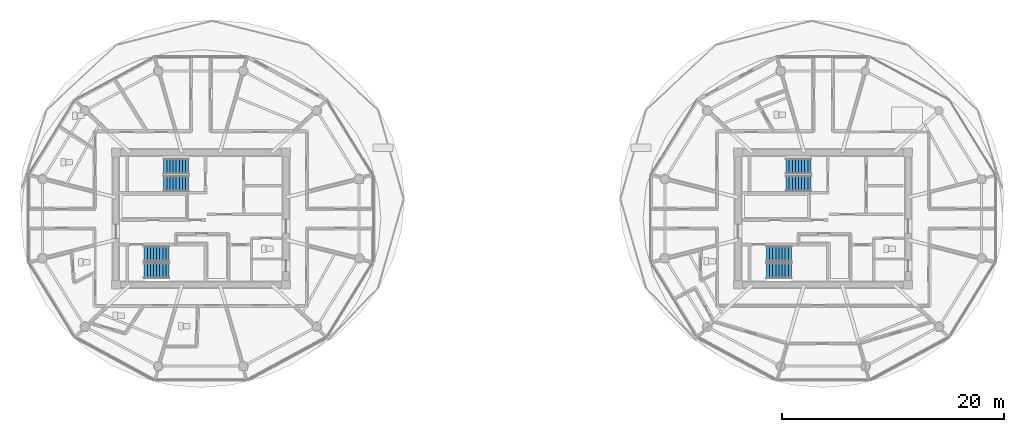
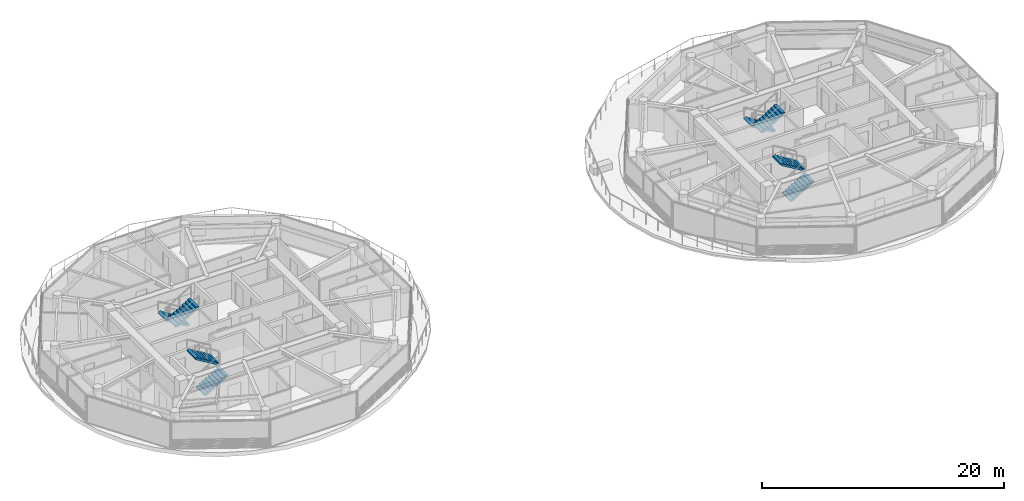
# One storey, part 16 of 28: 8 stair flights, 4 elements without a shape of their own.
"""IFC4 building model written with IfcOpenShell, lengths in metres."""

from ifc_helpers import new_model, si_unit, direction, frame, origin, place, context, subcontext, project, spatial, polyline, outline, extrude, material, type_object, element, aggregate, save


model = new_model("IFC4")

# Units and contexts
model_context = context("Model", 3, precision=1e-05, world=origin(), true_north=direction((0.0, 1.0)))
body_context = subcontext(model_context, "Body", "Model", "MODEL_VIEW")
ifc_project = project(units=[si_unit("LENGTHUNIT", "METRE"), si_unit("AREAUNIT", "SQUARE_METRE"), si_unit("VOLUMEUNIT", "CUBIC_METRE"), si_unit("PLANEANGLEUNIT", "RADIAN"), si_unit("MASSUNIT", "GRAM", prefix="KILO")], contexts=[model_context])

# Site, building, storey
site_placement = place(None, origin())
site = spatial("IfcSite", under=ifc_project, at=site_placement, CompositionType="ELEMENT")
building_placement = place(site_placement, origin())
building = spatial("IfcBuilding", under=site, at=building_placement, Name="Norrkilde Senior Care Towers", CompositionType="ELEMENT")
storey_placement = place(building_placement, frame((0.0, 0.0, 190.64990234375)))
storey = spatial("IfcBuildingStorey", under=building, at=storey_placement, Name="L59", CompositionType="ELEMENT", Elevation=190.64990234375)

# Stair, stair flights
ifc_material = material(Name="Concrete C45/55", Category="concrete")
stair_type = type_object("IfcStairType", Name="Core Protected Dogleg Stair Typical 3050", PredefinedType="HALF_TURN_STAIR", material=ifc_material)
stair_1_placement = place(storey_placement, origin())
stair_1 = element("IfcStair", 1, at=stair_1_placement, inside=storey, type_object=stair_type, Name="L59 Protected Core Stair W1", PredefinedType="HALF_TURN_STAIR")
stair_flight_type = type_object("IfcStairFlightType", Name="Core Protected Dogleg Stair Typical 3050 Flight", PredefinedType="STRAIGHT", material=ifc_material)
stair_flight_1_placement = place(storey_placement, frame((-29.10009765625, 4.699951171875, 0.0), z_axis=(0.0, 0.0, 1.0), x_axis=(-1.0, 0.0, 0.0)))
stair_flight_1 = element("IfcStairFlight", 2, at=stair_flight_1_placement, type_object=stair_flight_type, Name="ST-W1 flight 1", NumberOfRisers=9, NumberOfTreads=8, PredefinedType="STRAIGHT", RiserHeight=0.169444444, TreadLength=0.28, context=body_context, shape_type="SweptSolid", body=[
    extrude(outline(polyline([(0.0, 0.0), (0.0, 0.16943359375), (0.280029296875, 0.16943359375), (0.280029296875, 0.3388671875), (0.56005859375, 0.3388671875), (0.56005859375, 0.50830078125), (0.840087890625, 0.50830078125), (0.840087890625, 0.677734375), (1.1201171875, 0.677734375), (1.1201171875, 0.84716796875), (1.39990234375, 0.84716796875), (1.39990234375, 1.0166015625), (1.679931640625, 1.0166015625), (1.679931640625, 1.18603515625), (1.9599609375, 1.18603515625), (1.9599609375, 1.35546875), (2.239990234375, 1.35546875), (2.239990234375, 1.52490234375), (2.239990234375, 1.180419921875), (0.28955078125, 0.0), (0.0, 0.0)])), frame((0.0, 0.699951171875, 0.0), z_axis=(0.0, -1.0, 0.0), x_axis=(1.0, 0.0, 0.0)), (0.0, 0.0, 1.0), 1.39990234375),
])
stair_flight_2_placement = place(storey_placement, frame((-31.340087890625, 3.14990234375, 1.525146484375), z_axis=(0.0, 0.0, 1.0), x_axis=(1.0, 0.0, 0.0)))
stair_flight_2 = element("IfcStairFlight", 3, at=stair_flight_2_placement, type_object=stair_flight_type, Name="ST-W1 flight 2", NumberOfRisers=9, NumberOfTreads=8, PredefinedType="STRAIGHT", RiserHeight=0.169444444, TreadLength=0.28, context=body_context, shape_type="SweptSolid", body=[
    extrude(outline(polyline([(0.0, 0.0), (0.0, 0.16943359375), (0.280029296875, 0.16943359375), (0.280029296875, 0.3388671875), (0.56005859375, 0.3388671875), (0.56005859375, 0.50830078125), (0.840087890625, 0.50830078125), (0.840087890625, 0.677734375), (1.1201171875, 0.677734375), (1.1201171875, 0.84716796875), (1.39990234375, 0.84716796875), (1.39990234375, 1.0166015625), (1.679931640625, 1.0166015625), (1.679931640625, 1.18603515625), (1.9599609375, 1.18603515625), (1.9599609375, 1.35546875), (2.239990234375, 1.35546875), (2.239990234375, 1.52490234375), (2.239990234375, 1.180419921875), (0.28955078125, 0.0), (0.0, 0.0)])), frame((0.0, 0.699951171875, 0.0), z_axis=(0.0, -1.0, 0.0), x_axis=(1.0, 0.0, 0.0)), (0.0, 0.0, 1.0), 1.39990234375),
])
aggregate(stair_1, [stair_flight_1, stair_flight_2])

stair_2_placement = place(storey_placement, origin())
stair_2 = element("IfcStair", 4, at=stair_2_placement, inside=storey, type_object=stair_type, Name="L59 Protected Core Stair W2", PredefinedType="HALF_TURN_STAIR")
stair_flight_3_placement = place(storey_placement, frame((-33.10009765625, -4.699951171875, 0.0), z_axis=(0.0, 0.0, 1.0), x_axis=(1.0, 0.0, 0.0)))
stair_flight_3 = element("IfcStairFlight", 5, at=stair_flight_3_placement, type_object=stair_flight_type, Name="ST-W2 flight 1", NumberOfRisers=9, NumberOfTreads=8, PredefinedType="STRAIGHT", RiserHeight=0.169444444, TreadLength=0.28, context=body_context, shape_type="SweptSolid", body=[
    extrude(outline(polyline([(0.0, 0.0), (0.0, 0.16943359375), (0.280029296875, 0.16943359375), (0.280029296875, 0.3388671875), (0.56005859375, 0.3388671875), (0.56005859375, 0.50830078125), (0.840087890625, 0.50830078125), (0.840087890625, 0.677734375), (1.1201171875, 0.677734375), (1.1201171875, 0.84716796875), (1.39990234375, 0.84716796875), (1.39990234375, 1.0166015625), (1.679931640625, 1.0166015625), (1.679931640625, 1.18603515625), (1.9599609375, 1.18603515625), (1.9599609375, 1.35546875), (2.239990234375, 1.35546875), (2.239990234375, 1.52490234375), (2.239990234375, 1.180419921875), (0.28955078125, 0.0), (0.0, 0.0)])), frame((0.0, 0.699951171875, 0.0), z_axis=(0.0, -1.0, 0.0), x_axis=(1.0, 0.0, 0.0)), (0.0, 0.0, 1.0), 1.39990234375),
])
stair_flight_4_placement = place(storey_placement, frame((-30.860107421875, -3.14990234375, 1.525146484375), z_axis=(0.0, 0.0, 1.0), x_axis=(-1.0, 0.0, 0.0)))
stair_flight_4 = element("IfcStairFlight", 6, at=stair_flight_4_placement, type_object=stair_flight_type, Name="ST-W2 flight 2", NumberOfRisers=9, NumberOfTreads=8, PredefinedType="STRAIGHT", RiserHeight=0.169444444, TreadLength=0.28, context=body_context, shape_type="SweptSolid", body=[
    extrude(outline(polyline([(0.0, 0.0), (0.0, 0.16943359375), (0.280029296875, 0.16943359375), (0.280029296875, 0.3388671875), (0.56005859375, 0.3388671875), (0.56005859375, 0.50830078125), (0.840087890625, 0.50830078125), (0.840087890625, 0.677734375), (1.1201171875, 0.677734375), (1.1201171875, 0.84716796875), (1.39990234375, 0.84716796875), (1.39990234375, 1.0166015625), (1.679931640625, 1.0166015625), (1.679931640625, 1.18603515625), (1.9599609375, 1.18603515625), (1.9599609375, 1.35546875), (2.239990234375, 1.35546875), (2.239990234375, 1.52490234375), (2.239990234375, 1.180419921875), (0.28955078125, 0.0), (0.0, 0.0)])), frame((0.0, 0.699951171875, 0.0), z_axis=(0.0, -1.0, 0.0), x_axis=(1.0, 0.0, 0.0)), (0.0, 0.0, 1.0), 1.39990234375),
])
aggregate(stair_2, [stair_flight_3, stair_flight_4])

stair_3_placement = place(storey_placement, origin())
stair_3 = element("IfcStair", 7, at=stair_3_placement, inside=storey, type_object=stair_type, Name="L59 Protected Core Stair E1", PredefinedType="HALF_TURN_STAIR")
stair_flight_5_placement = place(storey_placement, frame((26.89990234375, 4.699951171875, 0.0), z_axis=(0.0, 0.0, 1.0), x_axis=(-1.0, 0.0, 0.0)))
stair_flight_5 = element("IfcStairFlight", 8, at=stair_flight_5_placement, type_object=stair_flight_type, Name="ST-E1 flight 1", NumberOfRisers=9, NumberOfTreads=8, PredefinedType="STRAIGHT", RiserHeight=0.169444444, TreadLength=0.28, context=body_context, shape_type="SweptSolid", body=[
    extrude(outline(polyline([(0.0, 0.0), (0.0, 0.16943359375), (0.280029296875, 0.16943359375), (0.280029296875, 0.3388671875), (0.56005859375, 0.3388671875), (0.56005859375, 0.50830078125), (0.840087890625, 0.50830078125), (0.840087890625, 0.677734375), (1.1201171875, 0.677734375), (1.1201171875, 0.84716796875), (1.39990234375, 0.84716796875), (1.39990234375, 1.0166015625), (1.679931640625, 1.0166015625), (1.679931640625, 1.18603515625), (1.9599609375, 1.18603515625), (1.9599609375, 1.35546875), (2.239990234375, 1.35546875), (2.239990234375, 1.52490234375), (2.239990234375, 1.180419921875), (0.28955078125, 0.0), (0.0, 0.0)])), frame((0.0, 0.699951171875, 0.0), z_axis=(0.0, -1.0, 0.0), x_axis=(1.0, 0.0, 0.0)), (0.0, 0.0, 1.0), 1.39990234375),
])
stair_flight_6_placement = place(storey_placement, frame((24.659912109375, 3.14990234375, 1.525146484375), z_axis=(0.0, 0.0, 1.0), x_axis=(1.0, 0.0, 0.0)))
stair_flight_6 = element("IfcStairFlight", 9, at=stair_flight_6_placement, type_object=stair_flight_type, Name="ST-E1 flight 2", NumberOfRisers=9, NumberOfTreads=8, PredefinedType="STRAIGHT", RiserHeight=0.169444444, TreadLength=0.28, context=body_context, shape_type="SweptSolid", body=[
    extrude(outline(polyline([(0.0, 0.0), (0.0, 0.16943359375), (0.280029296875, 0.16943359375), (0.280029296875, 0.3388671875), (0.56005859375, 0.3388671875), (0.56005859375, 0.50830078125), (0.840087890625, 0.50830078125), (0.840087890625, 0.677734375), (1.1201171875, 0.677734375), (1.1201171875, 0.84716796875), (1.39990234375, 0.84716796875), (1.39990234375, 1.0166015625), (1.679931640625, 1.0166015625), (1.679931640625, 1.18603515625), (1.9599609375, 1.18603515625), (1.9599609375, 1.35546875), (2.239990234375, 1.35546875), (2.239990234375, 1.52490234375), (2.239990234375, 1.180419921875), (0.28955078125, 0.0), (0.0, 0.0)])), frame((0.0, 0.699951171875, 0.0), z_axis=(0.0, -1.0, 0.0), x_axis=(1.0, 0.0, 0.0)), (0.0, 0.0, 1.0), 1.39990234375),
])
aggregate(stair_3, [stair_flight_5, stair_flight_6])

stair_4_placement = place(storey_placement, origin())
stair_4 = element("IfcStair", 10, at=stair_4_placement, inside=storey, type_object=stair_type, Name="L59 Protected Core Stair E2", PredefinedType="HALF_TURN_STAIR")
stair_flight_7_placement = place(storey_placement, frame((22.89990234375, -4.699951171875, 0.0), z_axis=(0.0, 0.0, 1.0), x_axis=(1.0, 0.0, 0.0)))
stair_flight_7 = element("IfcStairFlight", 11, at=stair_flight_7_placement, type_object=stair_flight_type, Name="ST-E2 flight 1", NumberOfRisers=9, NumberOfTreads=8, PredefinedType="STRAIGHT", RiserHeight=0.169444444, TreadLength=0.28, context=body_context, shape_type="SweptSolid", body=[
    extrude(outline(polyline([(0.0, 0.0), (0.0, 0.16943359375), (0.280029296875, 0.16943359375), (0.280029296875, 0.3388671875), (0.56005859375, 0.3388671875), (0.56005859375, 0.50830078125), (0.840087890625, 0.50830078125), (0.840087890625, 0.677734375), (1.1201171875, 0.677734375), (1.1201171875, 0.84716796875), (1.39990234375, 0.84716796875), (1.39990234375, 1.0166015625), (1.679931640625, 1.0166015625), (1.679931640625, 1.18603515625), (1.9599609375, 1.18603515625), (1.9599609375, 1.35546875), (2.239990234375, 1.35546875), (2.239990234375, 1.52490234375), (2.239990234375, 1.180419921875), (0.28955078125, 0.0), (0.0, 0.0)])), frame((0.0, 0.699951171875, 0.0), z_axis=(0.0, -1.0, 0.0), x_axis=(1.0, 0.0, 0.0)), (0.0, 0.0, 1.0), 1.39990234375),
])
stair_flight_8_placement = place(storey_placement, frame((25.139892578125, -3.14990234375, 1.525146484375), z_axis=(0.0, 0.0, 1.0), x_axis=(-1.0, 0.0, 0.0)))
stair_flight_8 = element("IfcStairFlight", 12, at=stair_flight_8_placement, type_object=stair_flight_type, Name="ST-E2 flight 2", NumberOfRisers=9, NumberOfTreads=8, PredefinedType="STRAIGHT", RiserHeight=0.169444444, TreadLength=0.28, context=body_context, shape_type="SweptSolid", body=[
    extrude(outline(polyline([(0.0, 0.0), (0.0, 0.16943359375), (0.280029296875, 0.16943359375), (0.280029296875, 0.3388671875), (0.56005859375, 0.3388671875), (0.56005859375, 0.50830078125), (0.840087890625, 0.50830078125), (0.840087890625, 0.677734375), (1.1201171875, 0.677734375), (1.1201171875, 0.84716796875), (1.39990234375, 0.84716796875), (1.39990234375, 1.0166015625), (1.679931640625, 1.0166015625), (1.679931640625, 1.18603515625), (1.9599609375, 1.18603515625), (1.9599609375, 1.35546875), (2.239990234375, 1.35546875), (2.239990234375, 1.52490234375), (2.239990234375, 1.180419921875), (0.28955078125, 0.0), (0.0, 0.0)])), frame((0.0, 0.699951171875, 0.0), z_axis=(0.0, -1.0, 0.0), x_axis=(1.0, 0.0, 0.0)), (0.0, 0.0, 1.0), 1.39990234375),
])
aggregate(stair_4, [stair_flight_7, stair_flight_8])

save(model, "model.ifc")
